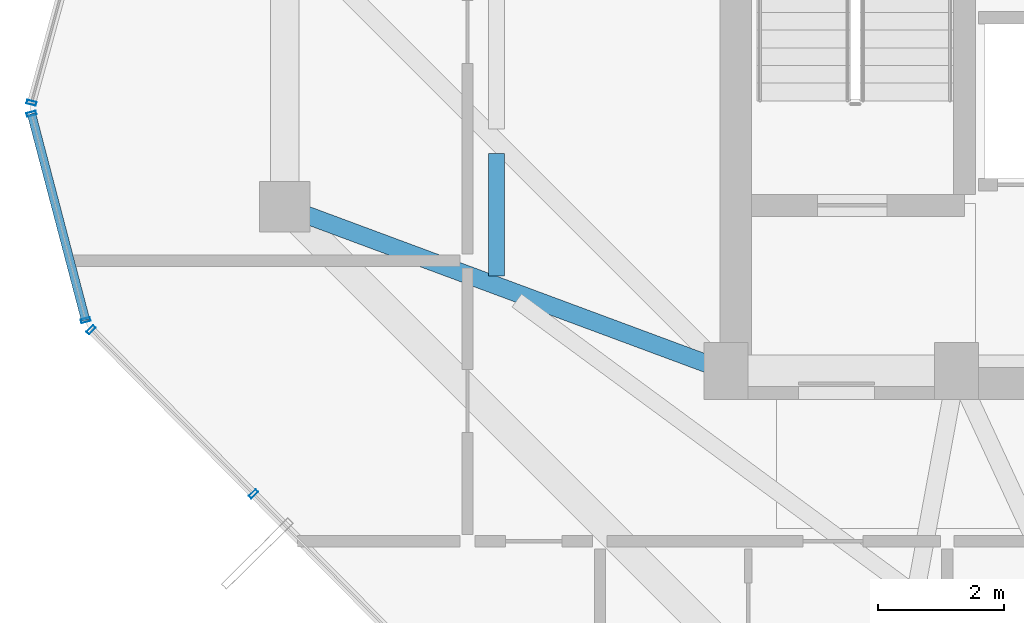
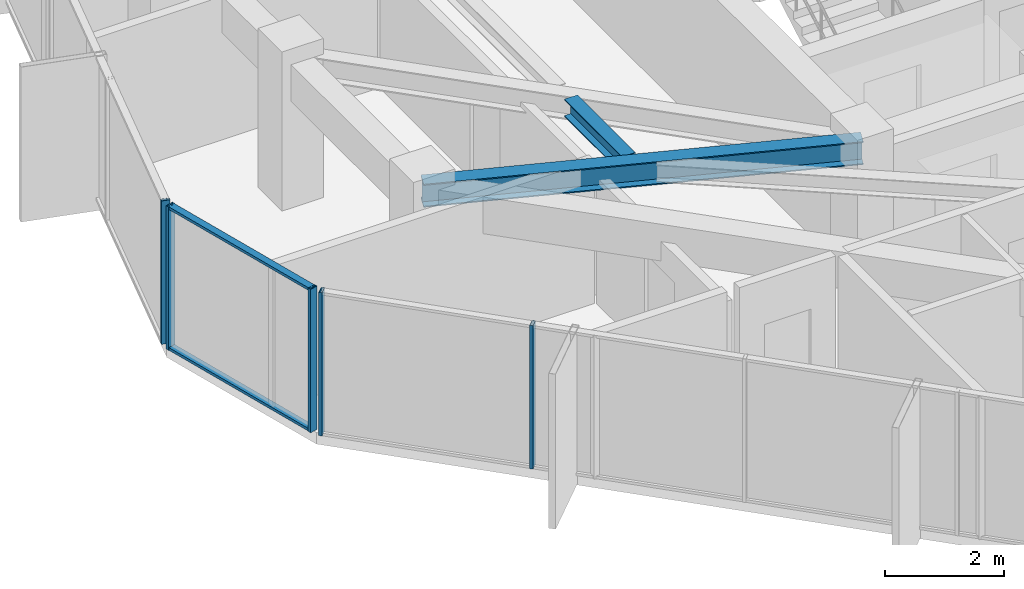
# One storey, part 6 of 29: 7 members, 2 beams, 3 elements without a shape of their own.
"""IFC4 building model written with IfcOpenShell, lengths in metres."""

from ifc_helpers import new_model, si_unit, direction, frame, origin, origin_2d, place, context, subcontext, project, spatial, hollow_rectangle, i_section, extrude, source, transform, mapped, material, layer, layer_set, material_profile, profile_set, type_object, element, aggregate, save


model = new_model("IFC4")

# Units and contexts
model_context = context("Model", 3, precision=1e-05, world=origin(), true_north=direction((0.0, 1.0)))
body_context = subcontext(model_context, "Body", "Model", "MODEL_VIEW")
ifc_project = project(units=[si_unit("LENGTHUNIT", "METRE"), si_unit("AREAUNIT", "SQUARE_METRE"), si_unit("VOLUMEUNIT", "CUBIC_METRE"), si_unit("PLANEANGLEUNIT", "RADIAN"), si_unit("MASSUNIT", "GRAM", prefix="KILO")], contexts=[model_context])

# Site, building, storey
site_placement = place(None, origin())
site = spatial("IfcSite", under=ifc_project, at=site_placement, CompositionType="ELEMENT")
building_placement = place(site_placement, origin())
building = spatial("IfcBuilding", under=site, at=building_placement, Name="Veraguas Prism Commons", CompositionType="ELEMENT")
storey_placement = place(building_placement, frame((0.0, 0.0, 261.0)))
storey = spatial("IfcBuildingStorey", under=building, at=storey_placement, Name="L74", CompositionType="ELEMENT", Elevation=261.0)

# Beams
ifc_material_1 = material(Name="Steel ASTM A992 Grade 50", Category="steel")
ifc_material_profile_1 = material_profile(ifc_material_1, i_section(OverallWidth=0.25390625, OverallDepth=0.35302734375, WebThickness=0.009521484375, FlangeThickness=0.016357421875, at=origin_2d()), Name="W360X91")
ifc_profile_set_1 = profile_set([ifc_material_profile_1], Name="Steel ASTM A992 Grade 50")
beam_type_1 = type_object("IfcBeamType", Name="Upper Floor Joist W360x91", PredefinedType="JOIST", material=ifc_profile_set_1)
beam_1_placement = place(storey_placement, frame((13.56005859375, 20.442626953125, 2.75341796875), z_axis=(0.0, -1.0, 0.0), x_axis=(1.0, 0.0, 0.0)))
element("IfcBeam", 1, at=beam_1_placement, inside=storey, type_object=beam_type_1, Name="Composite Floor Joist L74-JS08", PredefinedType="JOIST", context=body_context, shape_type="SweptSolid", body=[
    extrude(i_section(OverallWidth=0.25390625, OverallDepth=0.35302734375, WebThickness=0.009521484375, FlangeThickness=0.016357421875, at=origin_2d()), origin(), (0.0, 0.0, 1.0), 1.94189453125),
])
ifc_material_profile_2 = material_profile(ifc_material_1, i_section(OverallWidth=0.282958984375, OverallDepth=0.471923828125, WebThickness=0.013671875, FlangeThickness=0.022216796875, at=origin_2d()), Name="W460X144")
ifc_profile_set_2 = profile_set([ifc_material_profile_2], Name="Steel ASTM A992 Grade 50")
beam_type_2 = type_object("IfcBeamType", Name="Zone 4 Radial Girder W460x144", PredefinedType="BEAM", material=ifc_profile_set_2)
beam_2_placement = place(storey_placement, frame((10.199951171875, 19.60009765625, 2.694091796875), z_axis=(0.937421003341, -0.348198021958, 0.0), x_axis=(0.348198021958, 0.937421003341, 0.0)))
element("IfcBeam", 2, at=beam_2_placement, inside=storey, type_object=beam_type_2, Name="Radial Floor Girder L74-RD09", PredefinedType="BEAM", context=body_context, shape_type="SweptSolid", body=[
    extrude(i_section(OverallWidth=0.282958984375, OverallDepth=0.471923828125, WebThickness=0.013671875, FlangeThickness=0.022216796875, at=origin_2d()), origin(), (0.0, 0.0, 1.0), 7.46728515625),
])

# Curtain wall, members
ifc_material_2 = material(Name="Anodised aluminium EN AW-6063 T6", Category="aluminium")
ifc_layer = layer(ifc_material_2, 0.14990234375, Name="Unitised Flush Curtain Wall Zone 4", Category="aluminium")
ifc_layer_set = layer_set([ifc_layer], Name="Anodised aluminium EN AW-6063 T6")
curtain_wall_type = type_object("IfcCurtainWallType", Name="Unitised Flush Curtain Wall Zone 4", PredefinedType="NOTDEFINED", material=ifc_layer_set)
curtain_wall_1_placement = place(storey_placement, origin())
curtain_wall_1 = element("IfcCurtainWall", 3, at=curtain_wall_1_placement, inside=storey, type_object=curtain_wall_type, Name="Chamfer Curtain Wall L74-C4", PredefinedType="NOTDEFINED")
ifc_material_profile_3 = material_profile(ifc_material_2, hollow_rectangle(XDim=0.054931640625, YDim=0.135009765625, WallThickness=0.0029296875, at=origin_2d()), Name="AL55X135X3")
ifc_profile_set_3 = profile_set([ifc_material_profile_3], Name="Anodised aluminium EN AW-6063 T6")
member_type_1 = type_object("IfcMemberType", Name="Curtain Wall Transom Standard AL 55x135x3", PredefinedType="USERDEFINED", material=ifc_profile_set_3)
shared_shape_1 = source(origin(), body_context, "Body", "SweptSolid", [
    extrude(hollow_rectangle(XDim=0.054931640625, YDim=0.135009765625, WallThickness=0.0029296875, at=origin_2d()), origin(), (0.0, 0.0, 1.0), 3.382568359375),
])
member_1_placement = place(storey_placement, frame((6.1875, 21.075439453125, 0.027587890625), z_axis=(0.25377911291, -0.967262199122, 0.0), x_axis=(0.0, 0.0, 1.0)))
member_1 = element("IfcMember", 4, at=member_1_placement, type_object=member_type_1, Name="CW-Z4 Transom 1", ObjectType="TRANSOM", PredefinedType="USERDEFINED", context=body_context, shape_type="MappedRepresentation", body=[
    mapped(shared_shape_1, transform((0.0, 0.0, 0.0), scale=1.0)),
])
member_2_placement = place(storey_placement, frame((6.1875, 21.075439453125, 2.902587890625), z_axis=(0.25377911291, -0.967262199122, 0.0), x_axis=(0.0, 0.0, 1.0)))
member_2 = element("IfcMember", 5, at=member_2_placement, type_object=member_type_1, Name="CW-Z4 Transom 2", ObjectType="TRANSOM", PredefinedType="USERDEFINED", context=body_context, shape_type="MappedRepresentation", body=[
    mapped(shared_shape_1, transform((0.0, 0.0, 0.0), scale=1.0)),
])

# Curtain wall, member
curtain_wall_2_placement = place(storey_placement, origin())
curtain_wall_2 = element("IfcCurtainWall", 6, at=curtain_wall_2_placement, inside=storey, type_object=curtain_wall_type, Name="Tower Facade Curtain Wall L74-F3", PredefinedType="NOTDEFINED")
ifc_material_profile_4 = material_profile(ifc_material_2, hollow_rectangle(XDim=0.06005859375, YDim=0.14990234375, WallThickness=0.0029296875, at=origin_2d()), Name="AL60X150X3")
ifc_profile_set_4 = profile_set([ifc_material_profile_4], Name="Anodised aluminium EN AW-6063 T6")
member_type_2 = type_object("IfcMemberType", Name="Curtain Wall Mullion Upper AL 60x150x3", PredefinedType="MULLION", material=ifc_profile_set_4)
shared_shape_2 = source(origin(), body_context, "Body", "SweptSolid", [
    extrude(hollow_rectangle(XDim=0.06005859375, YDim=0.14990234375, WallThickness=0.0029296875, at=origin_2d()), origin(), (0.0, 0.0, 1.0), 2.929931640625),
])
member_3_placement = place(storey_placement, frame((6.188232421875, 21.249267578125, 0.0), z_axis=(0.0, 0.0, 1.0), x_axis=(-0.263883150773, -0.964554655133, 0.0)))
member_3 = element("IfcMember", 7, at=member_3_placement, type_object=member_type_2, Name="CW-Z4 Mullion 5", PredefinedType="MULLION", context=body_context, shape_type="MappedRepresentation", body=[
    mapped(shared_shape_2, transform((0.0, 0.0, 0.0), scale=1.0)),
])
aggregate(curtain_wall_2, [member_3])

# Curtain wall, members
curtain_wall_3_placement = place(storey_placement, origin())
curtain_wall_3 = element("IfcCurtainWall", 8, at=curtain_wall_3_placement, inside=storey, type_object=curtain_wall_type, Name="Tower Facade Curtain Wall L74-F4", PredefinedType="NOTDEFINED")
member_4_placement = place(storey_placement, frame((7.132080078125, 17.652587890625, 0.0), z_axis=(0.0, 0.0, 1.0), x_axis=(0.703392221648, -0.710801929179, 0.0)))
member_4 = element("IfcMember", 9, at=member_4_placement, type_object=member_type_2, Name="CW-Z4 Mullion 1", PredefinedType="MULLION", context=body_context, shape_type="MappedRepresentation", body=[
    mapped(shared_shape_2, transform((0.0, 0.0, 0.0), scale=1.0)),
])
member_5_placement = place(storey_placement, frame((9.70751953125, 15.050048828125, 0.0), z_axis=(0.0, 0.0, 1.0), x_axis=(0.703392221648, -0.710801929179, 0.0)))
member_5 = element("IfcMember", 10, at=member_5_placement, type_object=member_type_2, Name="CW-Z4 Mullion 2", PredefinedType="MULLION", context=body_context, shape_type="MappedRepresentation", body=[
    mapped(shared_shape_2, transform((0.0, 0.0, 0.0), scale=1.0)),
])
aggregate(curtain_wall_3, [member_4, member_5])

# Member
member_6_placement = place(storey_placement, frame((6.1875, 21.075439453125, 0.0), z_axis=(0.0, 0.0, 1.0), x_axis=(0.253790020259, -0.967259337312, 0.0)))
member_6 = element("IfcMember", 11, at=member_6_placement, type_object=member_type_2, Name="CW-Z4 Mullion 1", PredefinedType="MULLION", context=body_context, shape_type="MappedRepresentation", body=[
    mapped(shared_shape_2, transform((0.0, 0.0, 0.0), scale=1.0)),
])

member_7_placement = place(storey_placement, frame((7.0458984375, 17.8037109375, 0.0), z_axis=(0.0, 0.0, 1.0), x_axis=(0.253790020259, -0.967259337312, 0.0)))
member_7 = element("IfcMember", 12, at=member_7_placement, type_object=member_type_2, Name="CW-Z4 Mullion 2", PredefinedType="MULLION", context=body_context, shape_type="MappedRepresentation", body=[
    mapped(shared_shape_2, transform((0.0, 0.0, 0.0), scale=1.0)),
])

aggregate(curtain_wall_1, [member_6, member_7, member_1, member_2])

save(model, "model.ifc")
